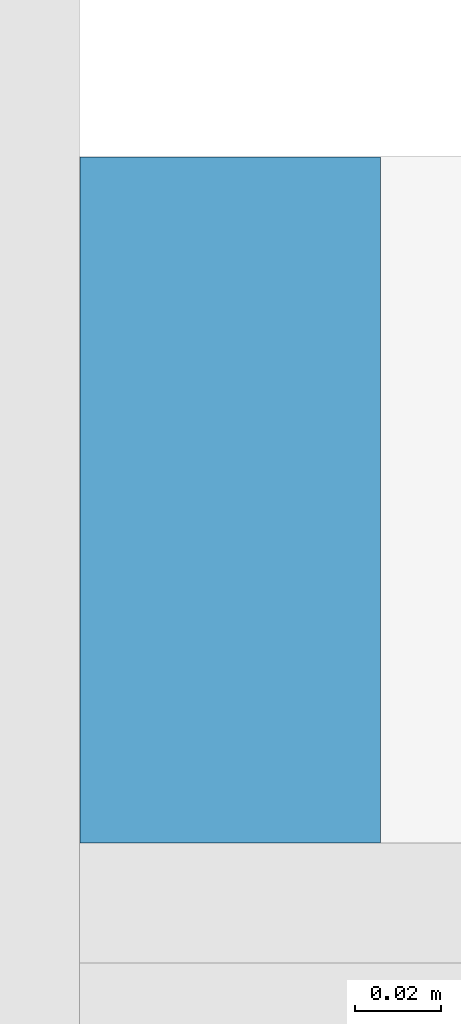
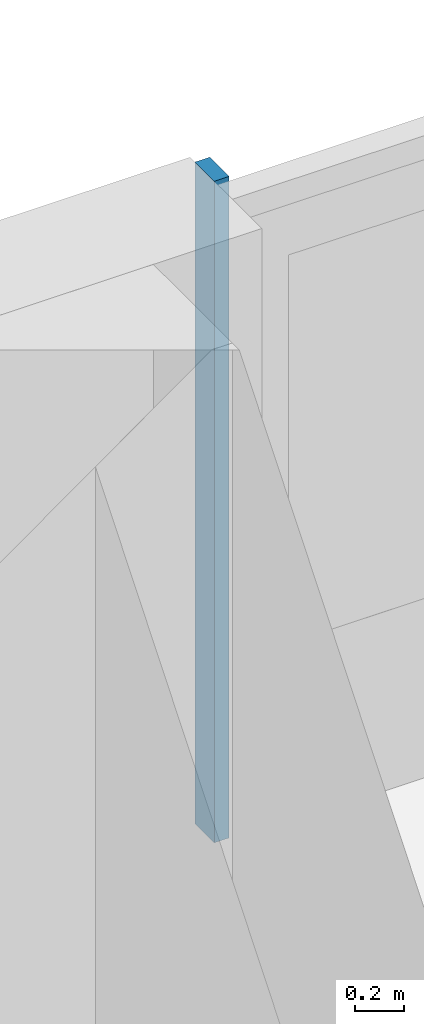
# One storey, part 10 of 30: 1 member, 1 element without a shape of its own.
"""IFC4 building model written with IfcOpenShell, lengths in metres."""

from ifc_helpers import new_model, si_unit, direction, frame, origin, origin_2d, place, context, subcontext, project, spatial, rectangle, extrude, material, material_profile, profile_set, type_object, element, aggregate, save


model = new_model("IFC4")

# Units and contexts
model_context = context("Model", 3, precision=1e-05, world=origin(), true_north=direction((0.0, 1.0)))
body_context = subcontext(model_context, "Body", "Model", "MODEL_VIEW")
ifc_project = project(units=[si_unit("LENGTHUNIT", "METRE"), si_unit("AREAUNIT", "SQUARE_METRE"), si_unit("VOLUMEUNIT", "CUBIC_METRE"), si_unit("PLANEANGLEUNIT", "RADIAN"), si_unit("MASSUNIT", "GRAM", prefix="KILO")], contexts=[model_context])

# Site, building, storey
site_placement = place(None, origin())
site = spatial("IfcSite", under=ifc_project, at=site_placement, CompositionType="ELEMENT")
building_placement = place(site_placement, origin())
building = spatial("IfcBuilding", under=site, at=building_placement, Name="Saffron Gate Tower", CompositionType="ELEMENT")
storey_placement = place(building_placement, frame((0.0, 0.0, 216.300048828125)))
storey = spatial("IfcBuildingStorey", under=building, at=storey_placement, Name="L52", CompositionType="ELEMENT", Elevation=216.300048828125)

# Curtain wall, member
ifc_material = material(Name="Aluminium, bronze anodised", Category="aluminium")
curtain_wall_type = type_object("IfcCurtainWallType", Name="CWS3 curtain wall rear facade", PredefinedType="NOTDEFINED", material=ifc_material)
curtain_wall_placement = place(storey_placement, origin())
curtain_wall = element("IfcCurtainWall", 1, at=curtain_wall_placement, inside=storey, type_object=curtain_wall_type, Name="CWS3 run 7", PredefinedType="NOTDEFINED")
ifc_material_profile = material_profile(ifc_material, rectangle(XDim=0.159912109375, YDim=0.070068359375, at=origin_2d()))
ifc_profile_set = profile_set([ifc_material_profile], Name="Aluminium, bronze anodised")
member_type = type_object("IfcMemberType", Name="CWS3 mullion 70x160", PredefinedType="MULLION", material=ifc_profile_set)
member_placement = place(storey_placement, frame((108.60009765625, 75.52001953125, 0.0), z_axis=(0.0, 0.0, 1.0), x_axis=(0.0, -1.0, 0.0)))
member = element("IfcMember", 2, at=member_placement, type_object=member_type, Name="CWS3 mullion 3", PredefinedType="MULLION", context=body_context, shape_type="SweptSolid", body=[
    extrude(rectangle(XDim=0.159912109375, YDim=0.070068359375, at=origin_2d()), origin(), (0.0, 0.0, 1.0), 3.320068359375),
])
aggregate(curtain_wall, [member])

save(model, "model.ifc")
